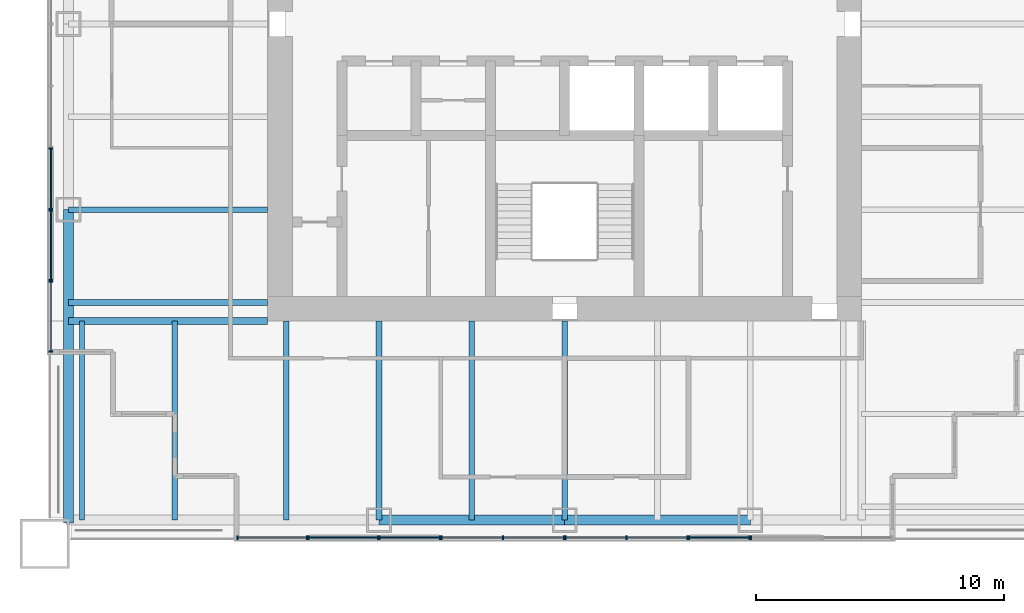
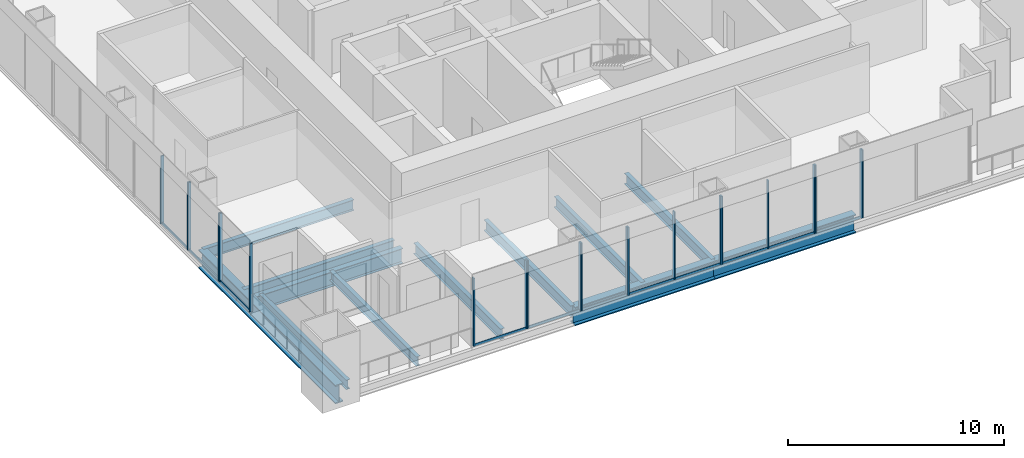
# One storey, part 2 of 14: 32 members, 12 beams, 10 elements without a shape of their own.
"""IFC4 building model written with IfcOpenShell, lengths in metres."""

from ifc_helpers import new_model, si_unit, direction, frame, origin, origin_2d, place, context, subcontext, project, spatial, rectangle, i_section, extrude, material, material_profile, profile_set, type_object, element, aggregate, save


model = new_model("IFC4")

# Units and contexts
model_context = context("Model", 3, precision=1e-05, world=origin(), true_north=direction((0.0, 1.0)))
body_context = subcontext(model_context, "Body", "Model", "MODEL_VIEW")
ifc_project = project(units=[si_unit("LENGTHUNIT", "METRE"), si_unit("AREAUNIT", "SQUARE_METRE"), si_unit("VOLUMEUNIT", "CUBIC_METRE"), si_unit("PLANEANGLEUNIT", "RADIAN"), si_unit("MASSUNIT", "GRAM", prefix="KILO")], contexts=[model_context])

# Site, building, storey
site_placement = place(None, origin())
site = spatial("IfcSite", under=ifc_project, at=site_placement, CompositionType="ELEMENT")
building_placement = place(site_placement, origin())
building = spatial("IfcBuilding", under=site, at=building_placement, Name="Tarangal Relay Tower", CompositionType="ELEMENT")
storey_placement = place(building_placement, frame((0.0, 0.0, 307.89990234375)))
storey = spatial("IfcBuildingStorey", under=building, at=storey_placement, Name="L68", CompositionType="ELEMENT", Elevation=307.89990234375)

# Beams
ifc_material_1 = material(Name="Steel ASTM A992", Category="steel")
ifc_material_profile_1 = material_profile(ifc_material_1, i_section(OverallWidth=0.209228515625, OverallDepth=0.533447265625, WebThickness=0.01025390625, FlangeThickness=0.015625, at=origin_2d()), Name="W21X62")
ifc_profile_set_1 = profile_set([ifc_material_profile_1], Name="Steel ASTM A992")
beam_type_1 = type_object("IfcBeamType", Name="Corner beam W21X62", PredefinedType="JOIST", material=ifc_profile_set_1)
for number, where, z_axis, x_axis, name in (
    (1, (-15.75, -12.0, -0.41650390625), (0.0, -1.0, 0.0), (1.0, 0.0, 0.0), "Corner beam CB12 S L68"),
    (2, (-19.5, -12.0, -0.41650390625), (0.0, -1.0, 0.0), (1.0, 0.0, 0.0), "Corner beam CB12 S L68"),
):
    element("IfcBeam", number, at=place(storey_placement, frame(where, z_axis=z_axis, x_axis=x_axis)), inside=storey, type_object=beam_type_1, Name=name, PredefinedType="JOIST", context=body_context, shape_type="SweptSolid", body=[
        extrude(i_section(OverallWidth=0.209228515625, OverallDepth=0.533447265625, WebThickness=0.01025390625, FlangeThickness=0.015625, at=origin_2d()), origin(), (0.0, 0.0, 1.0), 8.0400390625),
    ])
ifc_material_profile_2 = material_profile(ifc_material_1, i_section(OverallWidth=0.2919921875, OverallDepth=0.8408203125, WebThickness=0.0146484375, FlangeThickness=0.021728515625, at=origin_2d()), Name="W33X130")
ifc_profile_set_2 = profile_set([ifc_material_profile_2], Name="Steel ASTM A992")
beam_type_2 = type_object("IfcBeamType", Name="Corner girder W33X130", PredefinedType="BEAM", material=ifc_profile_set_2)
beam_1_placement = place(storey_placement, frame((-12.0, -12.0, -0.5703125), z_axis=(-1.0, 0.0, 0.0), x_axis=(0.0, -1.0, 0.0)))
element("IfcBeam", 3, at=beam_1_placement, inside=storey, type_object=beam_type_2, Name="Corner girder CG5 S L68", PredefinedType="BEAM", context=body_context, shape_type="SweptSolid", body=[
    extrude(i_section(OverallWidth=0.2919921875, OverallDepth=0.8408203125, WebThickness=0.0146484375, FlangeThickness=0.021728515625, at=origin_2d()), origin(), (0.0, 0.0, 1.0), 8.0400390625),
])
ifc_material_profile_3 = material_profile(ifc_material_1, i_section(OverallWidth=0.41162109375, OverallDepth=1.049072265625, WebThickness=0.033935546875, FlangeThickness=0.059814453125, at=origin_2d()), Name="W40X431")
ifc_profile_set_3 = profile_set([ifc_material_profile_3], Name="Steel ASTM A992")
beam_type_3 = type_object("IfcBeamType", Name="Edge girder W40X431", PredefinedType="SPANDREL", material=ifc_profile_set_3)
for number, where, z_axis, x_axis, name in (
    (4, (7.5, -20.0400390625, -0.67431640625), (-1.0, 0.0, 0.0), (0.0, -1.0, 0.0), "Edge girder EG1 S L68"),
    (5, (0.0, -20.0400390625, -0.67431640625), (-1.0, 0.0, 0.0), (0.0, -1.0, 0.0), "Edge girder EG1 S L68"),
):
    element("IfcBeam", number, at=place(storey_placement, frame(where, z_axis=z_axis, x_axis=x_axis)), inside=storey, type_object=beam_type_3, Name=name, PredefinedType="SPANDREL", context=body_context, shape_type="SweptSolid", body=[
        extrude(i_section(OverallWidth=0.41162109375, OverallDepth=1.049072265625, WebThickness=0.033935546875, FlangeThickness=0.059814453125, at=origin_2d()), origin(), (0.0, 0.0, 1.0), 7.5),
    ])
beam_2_placement = place(storey_placement, frame((-20.0400390625, -20.14990234375, -0.67431640625), z_axis=(0.0, 1.0, 0.0), x_axis=(-1.0, 0.0, 0.0)))
element("IfcBeam", 6, at=beam_2_placement, inside=storey, type_object=beam_type_3, Name="Edge girder EG1 W L68", PredefinedType="SPANDREL", context=body_context, shape_type="SweptSolid", body=[
    extrude(i_section(OverallWidth=0.41162109375, OverallDepth=1.049072265625, WebThickness=0.033935546875, FlangeThickness=0.059814453125, at=origin_2d()), origin(), (0.0, 0.0, 1.0), 12.64990234375),
])
ifc_material_profile_4 = material_profile(ifc_material_1, i_section(OverallWidth=0.228271484375, OverallDepth=0.607177734375, WebThickness=0.01123046875, FlangeThickness=0.017333984375, at=origin_2d()), Name="W24X76")
ifc_profile_set_4 = profile_set([ifc_material_profile_4], Name="Steel ASTM A992")
beam_type_4 = type_object("IfcBeamType", Name="Floor beam W24X76", PredefinedType="BEAM", material=ifc_profile_set_4)
for number, where, z_axis, x_axis, name in (
    (7, (0.0, -12.0, -0.453369140625), (0.0, -1.0, 0.0), (1.0, 0.0, 0.0), "Floor beam RB5 S L68"),
    (8, (-3.75, -12.0, -0.453369140625), (0.0, -1.0, 0.0), (1.0, 0.0, 0.0), "Floor beam RB5 S L68"),
    (9, (-7.5, -12.0, -0.453369140625), (0.0, -1.0, 0.0), (1.0, 0.0, 0.0), "Floor beam RB5 S L68"),
    (10, (-11.25, -12.0, -0.453369140625), (0.0, -1.0, 0.0), (1.0, 0.0, 0.0), "Floor beam RB5 S L68"),
    (11, (-12.0, -11.25, -0.453369140625), (-1.0, 0.0, 0.0), (0.0, -1.0, 0.0), "Floor beam RB5 W L68"),
    (12, (-12.0, -7.5, -0.453369140625), (-1.0, 0.0, 0.0), (0.0, -1.0, 0.0), "Floor beam RB5 W L68"),
):
    element("IfcBeam", number, at=place(storey_placement, frame(where, z_axis=z_axis, x_axis=x_axis)), inside=storey, type_object=beam_type_4, Name=name, PredefinedType="BEAM", context=body_context, shape_type="SweptSolid", body=[
        extrude(i_section(OverallWidth=0.228271484375, OverallDepth=0.607177734375, WebThickness=0.01123046875, FlangeThickness=0.017333984375, at=origin_2d()), origin(), (0.0, 0.0, 1.0), 8.0400390625),
    ])

# Curtain wall, members
ifc_material_2 = material(Name="Unitised curtain wall, dark glass and black aluminium", Category="aluminium")
curtain_wall_type_1 = type_object("IfcCurtainWallType", Name="Curtain wall CW-B", PredefinedType="USERDEFINED", material=ifc_material_2)
curtain_wall_1_placement = place(storey_placement, origin())
curtain_wall_1 = element("IfcCurtainWall", 13, at=curtain_wall_1_placement, inside=storey, type_object=curtain_wall_type_1, Name="Curtain wall CW-B S facade L68", ObjectType="UNITISED CURTAIN WALL", PredefinedType="USERDEFINED")
ifc_material_3 = material(Name="Black anodised aluminium mullion", Category="aluminium")
ifc_material_profile_5 = material_profile(ifc_material_3, rectangle(XDim=0.159912109375, YDim=0.06005859375, at=origin_2d()), Name="CW-BM 60X160")
ifc_profile_set_5 = profile_set([ifc_material_profile_5], Name="Black anodised aluminium mullion")
member_type_1 = type_object("IfcMemberType", Name="Mullion CW-B 60 x 160", PredefinedType="MULLION", material=ifc_profile_set_5)
member_1_placement = place(storey_placement, frame((4.969970703125, -20.75, 0.0), z_axis=(0.0, 0.0, 1.0), x_axis=(0.0, -1.0, 0.0)))
member_1 = element("IfcMember", 14, at=member_1_placement, type_object=member_type_1, Name="CW-B mullion 1", PredefinedType="MULLION", context=body_context, shape_type="SweptSolid", body=[
    extrude(rectangle(XDim=0.159912109375, YDim=0.06005859375, at=origin_2d()), origin(), (0.0, 0.0, 1.0), 3.85009765625),
])
member_2_placement = place(storey_placement, frame((2.5, -20.75, 0.0), z_axis=(0.0, 0.0, 1.0), x_axis=(0.0, -1.0, 0.0)))
member_2 = element("IfcMember", 15, at=member_2_placement, type_object=member_type_1, Name="CW-B mullion 2", PredefinedType="MULLION", context=body_context, shape_type="SweptSolid", body=[
    extrude(rectangle(XDim=0.159912109375, YDim=0.06005859375, at=origin_2d()), origin(), (0.0, 0.0, 1.0), 3.85009765625),
])
member_3_placement = place(storey_placement, frame((0.030029296875, -20.75, 0.0), z_axis=(0.0, 0.0, 1.0), x_axis=(0.0, -1.0, 0.0)))
member_3 = element("IfcMember", 16, at=member_3_placement, type_object=member_type_1, Name="CW-B mullion 3", PredefinedType="MULLION", context=body_context, shape_type="SweptSolid", body=[
    extrude(rectangle(XDim=0.159912109375, YDim=0.06005859375, at=origin_2d()), origin(), (0.0, 0.0, 1.0), 3.85009765625),
])

curtain_wall_2_placement = place(storey_placement, origin())
curtain_wall_2 = element("IfcCurtainWall", 17, at=curtain_wall_2_placement, inside=storey, type_object=curtain_wall_type_1, Name="Curtain wall CW-B S facade L68", ObjectType="UNITISED CURTAIN WALL", PredefinedType="USERDEFINED")
member_4_placement = place(storey_placement, frame((-0.030029296875, -20.75, 0.0), z_axis=(0.0, 0.0, 1.0), x_axis=(0.0, -1.0, 0.0)))
member_4 = element("IfcMember", 18, at=member_4_placement, type_object=member_type_1, Name="CW-B mullion 1", PredefinedType="MULLION", context=body_context, shape_type="SweptSolid", body=[
    extrude(rectangle(XDim=0.159912109375, YDim=0.06005859375, at=origin_2d()), origin(), (0.0, 0.0, 1.0), 3.85009765625),
])
member_5_placement = place(storey_placement, frame((-2.5, -20.75, 0.0), z_axis=(0.0, 0.0, 1.0), x_axis=(0.0, -1.0, 0.0)))
member_5 = element("IfcMember", 19, at=member_5_placement, type_object=member_type_1, Name="CW-B mullion 2", PredefinedType="MULLION", context=body_context, shape_type="SweptSolid", body=[
    extrude(rectangle(XDim=0.159912109375, YDim=0.06005859375, at=origin_2d()), origin(), (0.0, 0.0, 1.0), 3.85009765625),
])
member_6_placement = place(storey_placement, frame((-4.969970703125, -20.75, 0.0), z_axis=(0.0, 0.0, 1.0), x_axis=(0.0, -1.0, 0.0)))
member_6 = element("IfcMember", 20, at=member_6_placement, type_object=member_type_1, Name="CW-B mullion 3", PredefinedType="MULLION", context=body_context, shape_type="SweptSolid", body=[
    extrude(rectangle(XDim=0.159912109375, YDim=0.06005859375, at=origin_2d()), origin(), (0.0, 0.0, 1.0), 3.85009765625),
])

curtain_wall_3_placement = place(storey_placement, origin())
curtain_wall_3 = element("IfcCurtainWall", 21, at=curtain_wall_3_placement, inside=storey, type_object=curtain_wall_type_1, Name="Curtain wall CW-B S facade L68", ObjectType="UNITISED CURTAIN WALL", PredefinedType="USERDEFINED")
member_7_placement = place(storey_placement, frame((-10.405029296875, -20.75, 0.0), z_axis=(0.0, 0.0, 1.0), x_axis=(0.0, -1.0, 0.0)))
member_7 = element("IfcMember", 22, at=member_7_placement, type_object=member_type_1, Name="CW-B mullion 1", PredefinedType="MULLION", context=body_context, shape_type="SweptSolid", body=[
    extrude(rectangle(XDim=0.159912109375, YDim=0.06005859375, at=origin_2d()), origin(), (0.0, 0.0, 1.0), 3.85009765625),
])
member_8_placement = place(storey_placement, frame((-13.219970703125, -20.75, 0.0), z_axis=(0.0, 0.0, 1.0), x_axis=(0.0, -1.0, 0.0)))
member_8 = element("IfcMember", 23, at=member_8_placement, type_object=member_type_1, Name="CW-B mullion 2", PredefinedType="MULLION", context=body_context, shape_type="SweptSolid", body=[
    extrude(rectangle(XDim=0.159912109375, YDim=0.06005859375, at=origin_2d()), origin(), (0.0, 0.0, 1.0), 3.85009765625),
])

curtain_wall_4_placement = place(storey_placement, origin())
curtain_wall_4 = element("IfcCurtainWall", 24, at=curtain_wall_4_placement, inside=storey, type_object=curtain_wall_type_1, Name="Curtain wall CW-B W facade L68", ObjectType="UNITISED CURTAIN WALL", PredefinedType="USERDEFINED")
member_9_placement = place(storey_placement, frame((-20.75, -13.219970703125, 0.0), z_axis=(0.0, 0.0, 1.0), x_axis=(-1.0, 0.0, 0.0)))
member_9 = element("IfcMember", 25, at=member_9_placement, type_object=member_type_1, Name="CW-B mullion 1", PredefinedType="MULLION", context=body_context, shape_type="SweptSolid", body=[
    extrude(rectangle(XDim=0.159912109375, YDim=0.06005859375, at=origin_2d()), origin(), (0.0, 0.0, 1.0), 3.85009765625),
])
member_10_placement = place(storey_placement, frame((-20.75, -10.405029296875, 0.0), z_axis=(0.0, 0.0, 1.0), x_axis=(-1.0, 0.0, 0.0)))
member_10 = element("IfcMember", 26, at=member_10_placement, type_object=member_type_1, Name="CW-B mullion 2", PredefinedType="MULLION", context=body_context, shape_type="SweptSolid", body=[
    extrude(rectangle(XDim=0.159912109375, YDim=0.06005859375, at=origin_2d()), origin(), (0.0, 0.0, 1.0), 3.85009765625),
])

# Curtain wall, member
ifc_material_4 = material(Name="Unitised curtain wall frame, black aluminium, with metal clad infill walls", Category="aluminium")
curtain_wall_type_2 = type_object("IfcCurtainWallType", Name="Curtain wall CW-BO", PredefinedType="USERDEFINED", material=ifc_material_4)
curtain_wall_5_placement = place(storey_placement, origin())
curtain_wall_5 = element("IfcCurtainWall", 27, at=curtain_wall_5_placement, inside=storey, type_object=curtain_wall_type_2, Name="Curtain wall CW-BO S facade L68", ObjectType="UNITISED CURTAIN WALL", PredefinedType="USERDEFINED")
ifc_material_profile_6 = material_profile(ifc_material_3, rectangle(XDim=0.159912109375, YDim=0.06005859375, at=origin_2d()), Name="CW-BOM 60X160")
ifc_profile_set_6 = profile_set([ifc_material_profile_6], Name="Black anodised aluminium mullion")
member_type_2 = type_object("IfcMemberType", Name="Mullion CW-BO 60 x 160", PredefinedType="MULLION", material=ifc_profile_set_6)
member_11_placement = place(storey_placement, frame((7.530029296875, -20.75, 0.0), z_axis=(0.0, 0.0, 1.0), x_axis=(0.0, -1.0, 0.0)))
member_11 = element("IfcMember", 28, at=member_11_placement, type_object=member_type_2, Name="CW-BO mullion 2", PredefinedType="MULLION", context=body_context, shape_type="SweptSolid", body=[
    extrude(rectangle(XDim=0.159912109375, YDim=0.06005859375, at=origin_2d()), origin(), (0.0, 0.0, 1.0), 3.85009765625),
])
aggregate(curtain_wall_5, [member_11])

# Curtain wall, members
curtain_wall_6_placement = place(storey_placement, origin())
curtain_wall_6 = element("IfcCurtainWall", 29, at=curtain_wall_6_placement, inside=storey, type_object=curtain_wall_type_2, Name="Curtain wall CW-BO S facade L68", ObjectType="UNITISED CURTAIN WALL", PredefinedType="USERDEFINED")
member_12_placement = place(storey_placement, frame((7.469970703125, -20.75, 0.0), z_axis=(0.0, 0.0, 1.0), x_axis=(0.0, -1.0, 0.0)))
member_12 = element("IfcMember", 30, at=member_12_placement, type_object=member_type_2, Name="CW-BO mullion 1", PredefinedType="MULLION", context=body_context, shape_type="SweptSolid", body=[
    extrude(rectangle(XDim=0.159912109375, YDim=0.06005859375, at=origin_2d()), origin(), (0.0, 0.0, 1.0), 3.85009765625),
])
member_13_placement = place(storey_placement, frame((5.030029296875, -20.75, 0.0), z_axis=(0.0, 0.0, 1.0), x_axis=(0.0, -1.0, 0.0)))
member_13 = element("IfcMember", 31, at=member_13_placement, type_object=member_type_2, Name="CW-BO mullion 2", PredefinedType="MULLION", context=body_context, shape_type="SweptSolid", body=[
    extrude(rectangle(XDim=0.159912109375, YDim=0.06005859375, at=origin_2d()), origin(), (0.0, 0.0, 1.0), 3.85009765625),
])

curtain_wall_7_placement = place(storey_placement, origin())
curtain_wall_7 = element("IfcCurtainWall", 32, at=curtain_wall_7_placement, inside=storey, type_object=curtain_wall_type_2, Name="Curtain wall CW-BO S facade L68", ObjectType="UNITISED CURTAIN WALL", PredefinedType="USERDEFINED")
member_14_placement = place(storey_placement, frame((-5.030029296875, -20.75, 0.0), z_axis=(0.0, 0.0, 1.0), x_axis=(0.0, -1.0, 0.0)))
member_14 = element("IfcMember", 33, at=member_14_placement, type_object=member_type_2, Name="CW-BO mullion 1", PredefinedType="MULLION", context=body_context, shape_type="SweptSolid", body=[
    extrude(rectangle(XDim=0.159912109375, YDim=0.06005859375, at=origin_2d()), origin(), (0.0, 0.0, 1.0), 3.85009765625),
])
member_15_placement = place(storey_placement, frame((-7.469970703125, -20.75, 0.0), z_axis=(0.0, 0.0, 1.0), x_axis=(0.0, -1.0, 0.0)))
member_15 = element("IfcMember", 34, at=member_15_placement, type_object=member_type_2, Name="CW-BO mullion 2", PredefinedType="MULLION", context=body_context, shape_type="SweptSolid", body=[
    extrude(rectangle(XDim=0.159912109375, YDim=0.06005859375, at=origin_2d()), origin(), (0.0, 0.0, 1.0), 3.85009765625),
])

curtain_wall_8_placement = place(storey_placement, origin())
curtain_wall_8 = element("IfcCurtainWall", 35, at=curtain_wall_8_placement, inside=storey, type_object=curtain_wall_type_2, Name="Curtain wall CW-BO S facade L68", ObjectType="UNITISED CURTAIN WALL", PredefinedType="USERDEFINED")
member_16_placement = place(storey_placement, frame((-7.530029296875, -20.75, 0.0), z_axis=(0.0, 0.0, 1.0), x_axis=(0.0, -1.0, 0.0)))
member_16 = element("IfcMember", 36, at=member_16_placement, type_object=member_type_2, Name="CW-BO mullion 1", PredefinedType="MULLION", context=body_context, shape_type="SweptSolid", body=[
    extrude(rectangle(XDim=0.159912109375, YDim=0.06005859375, at=origin_2d()), origin(), (0.0, 0.0, 1.0), 3.85009765625),
])
member_17_placement = place(storey_placement, frame((-10.344970703125, -20.75, 0.0), z_axis=(0.0, 0.0, 1.0), x_axis=(0.0, -1.0, 0.0)))
member_17 = element("IfcMember", 37, at=member_17_placement, type_object=member_type_2, Name="CW-BO mullion 2", PredefinedType="MULLION", context=body_context, shape_type="SweptSolid", body=[
    extrude(rectangle(XDim=0.159912109375, YDim=0.06005859375, at=origin_2d()), origin(), (0.0, 0.0, 1.0), 3.85009765625),
])

curtain_wall_9_placement = place(storey_placement, origin())
curtain_wall_9 = element("IfcCurtainWall", 38, at=curtain_wall_9_placement, inside=storey, type_object=curtain_wall_type_2, Name="Curtain wall CW-BO W facade L68", ObjectType="UNITISED CURTAIN WALL", PredefinedType="USERDEFINED")
member_18_placement = place(storey_placement, frame((-20.75, -10.344970703125, 0.0), z_axis=(0.0, 0.0, 1.0), x_axis=(-1.0, 0.0, 0.0)))
member_18 = element("IfcMember", 39, at=member_18_placement, type_object=member_type_2, Name="CW-BO mullion 1", PredefinedType="MULLION", context=body_context, shape_type="SweptSolid", body=[
    extrude(rectangle(XDim=0.159912109375, YDim=0.06005859375, at=origin_2d()), origin(), (0.0, 0.0, 1.0), 3.85009765625),
])
member_19_placement = place(storey_placement, frame((-20.75, -7.530029296875, 0.0), z_axis=(0.0, 0.0, 1.0), x_axis=(-1.0, 0.0, 0.0)))
member_19 = element("IfcMember", 40, at=member_19_placement, type_object=member_type_2, Name="CW-BO mullion 2", PredefinedType="MULLION", context=body_context, shape_type="SweptSolid", body=[
    extrude(rectangle(XDim=0.159912109375, YDim=0.06005859375, at=origin_2d()), origin(), (0.0, 0.0, 1.0), 3.85009765625),
])

curtain_wall_10_placement = place(storey_placement, origin())
curtain_wall_10 = element("IfcCurtainWall", 41, at=curtain_wall_10_placement, inside=storey, type_object=curtain_wall_type_2, Name="Curtain wall CW-BO W facade L68", ObjectType="UNITISED CURTAIN WALL", PredefinedType="USERDEFINED")
member_20_placement = place(storey_placement, frame((-20.75, -7.469970703125, 0.0), z_axis=(0.0, 0.0, 1.0), x_axis=(-1.0, 0.0, 0.0)))
member_20 = element("IfcMember", 42, at=member_20_placement, type_object=member_type_2, Name="CW-BO mullion 1", PredefinedType="MULLION", context=body_context, shape_type="SweptSolid", body=[
    extrude(rectangle(XDim=0.159912109375, YDim=0.06005859375, at=origin_2d()), origin(), (0.0, 0.0, 1.0), 3.85009765625),
])
member_21_placement = place(storey_placement, frame((-20.75, -5.030029296875, 0.0), z_axis=(0.0, 0.0, 1.0), x_axis=(-1.0, 0.0, 0.0)))
member_21 = element("IfcMember", 43, at=member_21_placement, type_object=member_type_2, Name="CW-BO mullion 2", PredefinedType="MULLION", context=body_context, shape_type="SweptSolid", body=[
    extrude(rectangle(XDim=0.159912109375, YDim=0.06005859375, at=origin_2d()), origin(), (0.0, 0.0, 1.0), 3.85009765625),
])

# Member
ifc_material_5 = material(Name="Black anodised aluminium transom", Category="aluminium")
ifc_material_profile_7 = material_profile(ifc_material_5, rectangle(XDim=0.06005859375, YDim=0.1298828125, at=origin_2d()), Name="CW-BT 60X130")
ifc_profile_set_7 = profile_set([ifc_material_profile_7], Name="Black anodised aluminium transom")
member_type_3 = type_object("IfcMemberType", Name="Transom CW-B 60 x 130", PredefinedType="USERDEFINED", material=ifc_profile_set_7)
member_22_placement = place(storey_placement, frame((4.93994140625, -20.75, 0.030029296875), z_axis=(-1.0, 0.0, 0.0), x_axis=(0.0, -1.0, 0.0)))
member_22 = element("IfcMember", 44, at=member_22_placement, type_object=member_type_3, Name="CW-B transom 1.1", ObjectType="TRANSOM", PredefinedType="USERDEFINED", context=body_context, shape_type="SweptSolid", body=[
    extrude(rectangle(XDim=0.06005859375, YDim=0.1298828125, at=origin_2d()), origin(), (0.0, 0.0, 1.0), 2.409912109375),
])

member_23_placement = place(storey_placement, frame((2.469970703125, -20.75, 0.030029296875), z_axis=(-1.0, 0.0, 0.0), x_axis=(0.0, -1.0, 0.0)))
member_23 = element("IfcMember", 45, at=member_23_placement, type_object=member_type_3, Name="CW-B transom 2.1", ObjectType="TRANSOM", PredefinedType="USERDEFINED", context=body_context, shape_type="SweptSolid", body=[
    extrude(rectangle(XDim=0.06005859375, YDim=0.1298828125, at=origin_2d()), origin(), (0.0, 0.0, 1.0), 2.409912109375),
])

aggregate(curtain_wall_1, [member_1, member_2, member_3, member_22, member_23])

member_24_placement = place(storey_placement, frame((-0.06005859375, -20.75, 0.030029296875), z_axis=(-1.0, 0.0, 0.0), x_axis=(0.0, -1.0, 0.0)))
member_24 = element("IfcMember", 46, at=member_24_placement, type_object=member_type_3, Name="CW-B transom 1.1", ObjectType="TRANSOM", PredefinedType="USERDEFINED", context=body_context, shape_type="SweptSolid", body=[
    extrude(rectangle(XDim=0.06005859375, YDim=0.1298828125, at=origin_2d()), origin(), (0.0, 0.0, 1.0), 2.409912109375),
])

member_25_placement = place(storey_placement, frame((-2.530029296875, -20.75, 0.030029296875), z_axis=(-1.0, 0.0, 0.0), x_axis=(0.0, -1.0, 0.0)))
member_25 = element("IfcMember", 47, at=member_25_placement, type_object=member_type_3, Name="CW-B transom 2.1", ObjectType="TRANSOM", PredefinedType="USERDEFINED", context=body_context, shape_type="SweptSolid", body=[
    extrude(rectangle(XDim=0.06005859375, YDim=0.1298828125, at=origin_2d()), origin(), (0.0, 0.0, 1.0), 2.409912109375),
])

aggregate(curtain_wall_2, [member_4, member_5, member_6, member_24, member_25])

member_26_placement = place(storey_placement, frame((-10.43505859375, -20.75, 0.030029296875), z_axis=(-1.0, 0.0, 0.0), x_axis=(0.0, -1.0, 0.0)))
member_26 = element("IfcMember", 48, at=member_26_placement, type_object=member_type_3, Name="CW-B transom 1.1", ObjectType="TRANSOM", PredefinedType="USERDEFINED", context=body_context, shape_type="SweptSolid", body=[
    extrude(rectangle(XDim=0.06005859375, YDim=0.1298828125, at=origin_2d()), origin(), (0.0, 0.0, 1.0), 2.7548828125),
])

aggregate(curtain_wall_3, [member_7, member_8, member_26])

member_27_placement = place(storey_placement, frame((-20.75, -13.18994140625, 0.030029296875), z_axis=(0.0, 1.0, 0.0), x_axis=(-1.0, 0.0, 0.0)))
member_27 = element("IfcMember", 49, at=member_27_placement, type_object=member_type_3, Name="CW-B transom 1.1", ObjectType="TRANSOM", PredefinedType="USERDEFINED", context=body_context, shape_type="SweptSolid", body=[
    extrude(rectangle(XDim=0.06005859375, YDim=0.1298828125, at=origin_2d()), origin(), (0.0, 0.0, 1.0), 2.7548828125),
])

aggregate(curtain_wall_4, [member_9, member_10, member_27])

ifc_material_profile_8 = material_profile(ifc_material_5, rectangle(XDim=0.06005859375, YDim=0.1298828125, at=origin_2d()), Name="CW-BOT 60X130")
ifc_profile_set_8 = profile_set([ifc_material_profile_8], Name="Black anodised aluminium transom")
member_type_4 = type_object("IfcMemberType", Name="Transom CW-BO 60 x 130", PredefinedType="USERDEFINED", material=ifc_profile_set_8)
member_28_placement = place(storey_placement, frame((7.43994140625, -20.75, 0.030029296875), z_axis=(-1.0, 0.0, 0.0), x_axis=(0.0, -1.0, 0.0)))
member_28 = element("IfcMember", 50, at=member_28_placement, type_object=member_type_4, Name="CW-BO transom 1.1", ObjectType="TRANSOM", PredefinedType="USERDEFINED", context=body_context, shape_type="SweptSolid", body=[
    extrude(rectangle(XDim=0.06005859375, YDim=0.1298828125, at=origin_2d()), origin(), (0.0, 0.0, 1.0), 2.3798828125),
])

aggregate(curtain_wall_6, [member_12, member_13, member_28])

member_29_placement = place(storey_placement, frame((-5.06005859375, -20.75, 0.030029296875), z_axis=(-1.0, 0.0, 0.0), x_axis=(0.0, -1.0, 0.0)))
member_29 = element("IfcMember", 51, at=member_29_placement, type_object=member_type_4, Name="CW-BO transom 1.1", ObjectType="TRANSOM", PredefinedType="USERDEFINED", context=body_context, shape_type="SweptSolid", body=[
    extrude(rectangle(XDim=0.06005859375, YDim=0.1298828125, at=origin_2d()), origin(), (0.0, 0.0, 1.0), 2.3798828125),
])

aggregate(curtain_wall_7, [member_14, member_15, member_29])

member_30_placement = place(storey_placement, frame((-7.56005859375, -20.75, 0.030029296875), z_axis=(-1.0, 0.0, 0.0), x_axis=(0.0, -1.0, 0.0)))
member_30 = element("IfcMember", 52, at=member_30_placement, type_object=member_type_4, Name="CW-BO transom 1.1", ObjectType="TRANSOM", PredefinedType="USERDEFINED", context=body_context, shape_type="SweptSolid", body=[
    extrude(rectangle(XDim=0.06005859375, YDim=0.1298828125, at=origin_2d()), origin(), (0.0, 0.0, 1.0), 2.7548828125),
])

aggregate(curtain_wall_8, [member_16, member_17, member_30])

member_31_placement = place(storey_placement, frame((-20.75, -10.31494140625, 0.030029296875), z_axis=(0.0, 1.0, 0.0), x_axis=(-1.0, 0.0, 0.0)))
member_31 = element("IfcMember", 53, at=member_31_placement, type_object=member_type_4, Name="CW-BO transom 1.1", ObjectType="TRANSOM", PredefinedType="USERDEFINED", context=body_context, shape_type="SweptSolid", body=[
    extrude(rectangle(XDim=0.06005859375, YDim=0.1298828125, at=origin_2d()), origin(), (0.0, 0.0, 1.0), 2.7548828125),
])

aggregate(curtain_wall_9, [member_18, member_19, member_31])

member_32_placement = place(storey_placement, frame((-20.75, -7.43994140625, 0.030029296875), z_axis=(0.0, 1.0, 0.0), x_axis=(-1.0, 0.0, 0.0)))
member_32 = element("IfcMember", 54, at=member_32_placement, type_object=member_type_4, Name="CW-BO transom 1.1", ObjectType="TRANSOM", PredefinedType="USERDEFINED", context=body_context, shape_type="SweptSolid", body=[
    extrude(rectangle(XDim=0.06005859375, YDim=0.1298828125, at=origin_2d()), origin(), (0.0, 0.0, 1.0), 2.3798828125),
])

aggregate(curtain_wall_10, [member_20, member_21, member_32])

save(model, "model.ifc")
